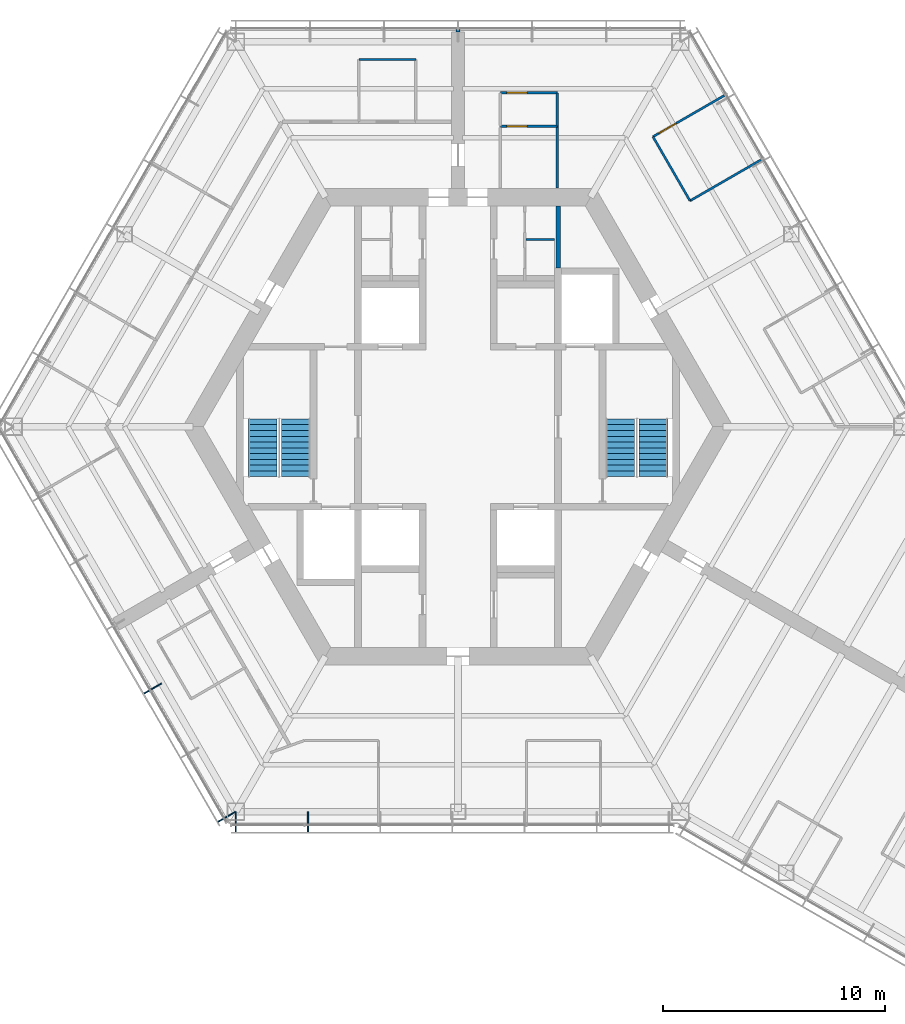
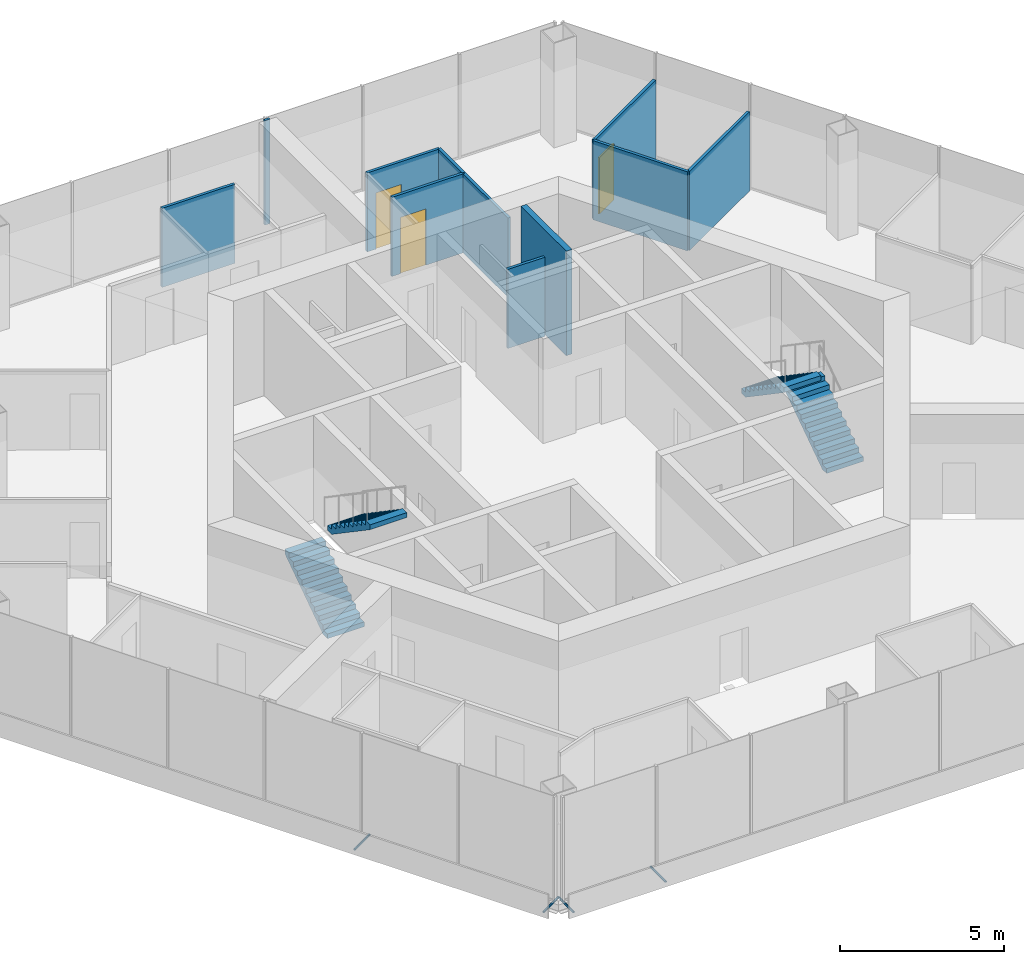
# One storey, part 13 of 16: 11 walls, 4 discrete accessories, 4 stair flights, 3 doors, 3 openings, 2 elements without a shape of their own.
"""IFC4 building model written with IfcOpenShell, lengths in metres."""

from ifc_helpers import new_model, si_unit, direction, frame, frame_2d, origin, origin_2d, place, context, subcontext, project, spatial, polyline, rectangle, hollow_circle, outline, extrude, material, layer, layer_set, material_profile, profile_set, type_object, element, fill, aggregate, save


model = new_model("IFC4")

# Units and contexts
model_context = context("Model", 3, precision=1e-05, world=origin(), true_north=direction((0.0, 1.0)))
body_context = subcontext(model_context, "Body", "Model", "MODEL_VIEW")
ifc_project = project(units=[si_unit("LENGTHUNIT", "METRE"), si_unit("AREAUNIT", "SQUARE_METRE"), si_unit("VOLUMEUNIT", "CUBIC_METRE"), si_unit("PLANEANGLEUNIT", "RADIAN"), si_unit("MASSUNIT", "GRAM", prefix="KILO")], contexts=[model_context])

# Site, building, storey
site_placement = place(None, origin())
site = spatial("IfcSite", under=ifc_project, at=site_placement, CompositionType="ELEMENT")
building_placement = place(site_placement, origin())
building = spatial("IfcBuilding", under=site, at=building_placement, Name="Kasaneha Research Tower", CompositionType="ELEMENT")
storey_placement = place(building_placement, frame((0.0, 0.0, 247.89990234375)))
storey = spatial("IfcBuildingStorey", under=building, at=storey_placement, Name="L62", CompositionType="ELEMENT", Elevation=247.89990234375)

# Wall
ifc_material_1 = material(Name="Gypsum board on steel studs, one layer each side", Category="steel")
ifc_layer_1 = layer(ifc_material_1, 0.10009765625)
ifc_layer_set_1 = layer_set([ifc_layer_1], Name="Office partition 100")
wall_type_1 = type_object("IfcWallType", Name="Office partition 100", PredefinedType="PARTITIONING", material=ifc_layer_set_1)
wall_1_placement = place(storey_placement, frame((3.050048828125, 8.425048828125, 0.0), z_axis=(0.0, 0.0, 1.0), x_axis=(1.0, 0.0, 0.0)))
element("IfcWall", 1, at=wall_1_placement, inside=storey, type_object=wall_type_1, Name="Office partition TBF2 L62", PredefinedType="PARTITIONING", context=body_context, shape_type="SweptSolid", body=[
    extrude(rectangle(XDim=1.300048828125, YDim=0.10009765625, at=frame_2d((0.64990234375, 0.0))), origin(), (0.0, 0.0, 1.0), 2.9501953125),
])

# Wall, opening, door
wall_2_placement = place(storey_placement, frame((1.89990234375, 13.52001953125, 0.0), z_axis=(0.0, 0.0, 1.0), x_axis=(1.0, 0.0, 0.0)))
wall_2 = element("IfcWall", 2, at=wall_2_placement, inside=storey, type_object=wall_type_1, Name="Office partition FAE01 L62", PredefinedType="PARTITIONING", context=body_context, shape_type="SweptSolid", body=[
    extrude(rectangle(XDim=2.565185546875, YDim=0.10009765625, at=frame_2d((1.28271484375, 0.0))), origin(), (0.0, 0.0, 1.0), 2.9501953125),
])
opening_1_placement = place(wall_2_placement, frame((0.300048828125, 0.0, 0.0)))
opening_1 = element("IfcOpeningElement", 3, at=opening_1_placement, cuts=wall_2, Name="Opening L62-D25", PredefinedType="OPENING", context=body_context, shape_type="SweptSolid", body=[
    extrude(rectangle(XDim=0.89990234375, YDim=2.10009765625, at=frame_2d((0.449951171875, 1.050048828125))), frame((0.0, 0.06005859375, 0.0), z_axis=(0.0, -1.0, 0.0), x_axis=(1.0, 0.0, 0.0)), (0.0, 0.0, 1.0), 0.1201171875),
])
ifc_material_2 = material(Name="Steel", Category="steel")
door_type_1 = type_object("IfcDoorType", Name="Toilet lobby door FD30 900x2100", OperationType="NOTDEFINED", PredefinedType="DOOR", material=ifc_material_2)
door_1_placement = place(opening_1_placement, origin())
door_1 = element("IfcDoor", 4, at=door_1_placement, inside=storey, type_object=door_type_1, Name="Women's WC door L62-D25", OperationType="SINGLE_SWING_LEFT", OverallHeight=2.10009765625, OverallWidth=0.89990234375, PredefinedType="DOOR", context=body_context, shape_type="SweptSolid", body=[
    extrude(rectangle(XDim=0.89990234375, YDim=2.10009765625, at=frame_2d((0.449951171875, 1.050048828125))), frame((0.0, 0.02490234375, 0.0), z_axis=(0.0, -1.0, 0.0), x_axis=(1.0, 0.0, 0.0)), (0.0, 0.0, 1.0), 0.050048828125),
])
fill(opening_1, door_1)

# Wall
wall_3_placement = place(storey_placement, frame((4.46044921875, 13.52490234375, 0.0), z_axis=(0.0, 0.0, 1.0), x_axis=(0.001668713644, -0.999998607696, 0.0)))
element("IfcWall", 5, at=wall_3_placement, inside=storey, type_object=wall_type_1, Name="Office partition FAE03 L62", PredefinedType="PARTITIONING", context=body_context, shape_type="SweptSolid", body=[
    extrude(rectangle(XDim=2.77978515625, YDim=0.10009765625, at=frame_2d((1.389892578125, 0.0))), origin(), (0.0, 0.0, 1.0), 2.9501953125),
])

# Wall, opening, door
wall_4_placement = place(storey_placement, frame((1.89990234375, 15.02490234375, 0.0), z_axis=(0.0, 0.0, 1.0), x_axis=(1.0, 0.0, 0.0)))
wall_4 = element("IfcWall", 6, at=wall_4_placement, inside=storey, type_object=wall_type_1, Name="Office partition FAE04 L62", PredefinedType="PARTITIONING", context=body_context, shape_type="SweptSolid", body=[
    extrude(rectangle(XDim=2.565185546875, YDim=0.10009765625, at=frame_2d((1.28271484375, 0.0))), origin(), (0.0, 0.0, 1.0), 2.9501953125),
])
opening_2_placement = place(wall_4_placement, frame((0.300048828125, 0.0, 0.0)))
opening_2 = element("IfcOpeningElement", 7, at=opening_2_placement, cuts=wall_4, Name="Opening L62-D26", PredefinedType="OPENING", context=body_context, shape_type="SweptSolid", body=[
    extrude(rectangle(XDim=0.89990234375, YDim=2.10009765625, at=frame_2d((0.449951171875, 1.050048828125))), frame((0.0, 0.06005859375, 0.0), z_axis=(0.0, -1.0, 0.0), x_axis=(1.0, 0.0, 0.0)), (0.0, 0.0, 1.0), 0.1201171875),
])
door_2_placement = place(opening_2_placement, origin())
door_2 = element("IfcDoor", 8, at=door_2_placement, inside=storey, type_object=door_type_1, Name="Toilet lobby door L62-D26", OperationType="SINGLE_SWING_LEFT", OverallHeight=2.10009765625, OverallWidth=0.89990234375, PredefinedType="DOOR", context=body_context, shape_type="SweptSolid", body=[
    extrude(rectangle(XDim=0.89990234375, YDim=2.10009765625, at=frame_2d((0.449951171875, 1.050048828125))), frame((0.0, 0.02490234375, 0.0), z_axis=(0.0, -1.0, 0.0), x_axis=(1.0, 0.0, 0.0)), (0.0, 0.0, 1.0), 0.050048828125),
])
fill(opening_2, door_2)

# Wall
wall_5_placement = place(storey_placement, frame((4.465087890625, 15.02490234375, 0.0), z_axis=(0.0, 0.0, 1.0), x_axis=(-0.00309243313, -0.999995218417, 0.0)))
element("IfcWall", 9, at=wall_5_placement, inside=storey, type_object=wall_type_1, Name="Office partition FAE06 L62", PredefinedType="PARTITIONING", context=body_context, shape_type="SweptSolid", body=[
    extrude(rectangle(XDim=1.5, YDim=0.10009765625, at=frame_2d((0.75, 0.0))), origin(), (0.0, 0.0, 1.0), 2.9501953125),
])

# Wall, opening, door
wall_6_placement = place(storey_placement, frame((8.77099609375, 13.04931640625, 0.0), z_axis=(0.0, 0.0, 1.0), x_axis=(0.866023396066, 0.500003477455, 0.0)))
wall_6 = element("IfcWall", 10, at=wall_6_placement, inside=storey, type_object=wall_type_1, Name="Office partition FAE11 L62", PredefinedType="PARTITIONING", context=body_context, shape_type="SweptSolid", body=[
    extrude(rectangle(XDim=3.7099609375, YDim=0.10009765625, at=frame_2d((1.85498046875, 0.0))), origin(), (0.0, 0.0, 1.0), 2.9501953125),
])
opening_3_placement = place(wall_6_placement, frame((0.300048828125, 0.0, 0.0)))
opening_3 = element("IfcOpeningElement", 11, at=opening_3_placement, cuts=wall_6, Name="Opening L62-D28", PredefinedType="OPENING", context=body_context, shape_type="SweptSolid", body=[
    extrude(rectangle(XDim=0.89990234375, YDim=2.10009765625, at=frame_2d((0.449951171875, 1.050048828125))), frame((0.0, 0.06005859375, 0.0), z_axis=(0.0, -1.0, 0.0), x_axis=(1.0, 0.0, 0.0)), (0.0, 0.0, 1.0), 0.1201171875),
])
ifc_material_3 = material(Name="Timber veneer", Category="wood")
door_type_2 = type_object("IfcDoorType", Name="Office door 900x2100", OperationType="SINGLE_SWING_LEFT", PredefinedType="DOOR", material=ifc_material_3)
door_3_placement = place(opening_3_placement, origin())
door_3 = element("IfcDoor", 12, at=door_3_placement, inside=storey, type_object=door_type_2, Name="Executive office door L62-D28", OperationType="SINGLE_SWING_LEFT", OverallHeight=2.10009765625, OverallWidth=0.89990234375, PredefinedType="DOOR", context=body_context, shape_type="SweptSolid", body=[
    extrude(rectangle(XDim=0.89990234375, YDim=2.10009765625, at=frame_2d((0.449951171875, 1.050048828125))), frame((0.0, 0.02490234375, 0.0), z_axis=(0.0, -1.0, 0.0), x_axis=(1.0, 0.0, 0.0)), (0.0, 0.0, 1.0), 0.050048828125),
])
fill(opening_3, door_3)

# Walls
wall_7_placement = place(storey_placement, frame((10.4365234375, 10.16455078125, 0.0), z_axis=(0.0, 0.0, 1.0), x_axis=(-0.500001606164, 0.866024476463, 0.0)))
element("IfcWall", 13, at=wall_7_placement, inside=storey, type_object=wall_type_1, Name="Office partition FAE12 L62", PredefinedType="PARTITIONING", context=body_context, shape_type="SweptSolid", body=[
    extrude(rectangle(XDim=3.3310546875, YDim=0.10009765625, at=frame_2d((1.66552734375, 0.0))), origin(), (0.0, 0.0, 1.0), 2.9501953125),
])
wall_8_placement = place(storey_placement, frame((13.623291015625, 12.00439453125, 0.0), z_axis=(0.0, 0.0, 1.0), x_axis=(-0.866029801145, -0.49999238347, 0.0)))
element("IfcWall", 14, at=wall_8_placement, inside=storey, type_object=wall_type_1, Name="Office partition FAE13 L62", PredefinedType="PARTITIONING", context=body_context, shape_type="SweptSolid", body=[
    extrude(rectangle(XDim=3.6796875, YDim=0.10009765625, at=frame_2d((1.83984375, 0.0))), origin(), (0.0, 0.0, 1.0), 2.9501953125),
])
wall_9_placement = place(storey_placement, frame((-4.465087890625, 16.52490234375, 0.0), z_axis=(0.0, 0.0, 1.0), x_axis=(1.0, 0.0, 0.0)))
element("IfcWall", 15, at=wall_9_placement, inside=storey, type_object=wall_type_1, Name="Office partition FAW04 L62", PredefinedType="PARTITIONING", context=body_context, shape_type="SweptSolid", body=[
    extrude(rectangle(XDim=2.565185546875, YDim=0.10009765625, at=frame_2d((1.28271484375, 0.0))), origin(), (0.0, 0.0, 1.0), 2.9501953125),
])
ifc_material_4 = material(Name="Concrete block", Category="concrete")
ifc_layer_2 = layer(ifc_material_4, 0.199951171875)
ifc_layer_set_2 = layer_set([ifc_layer_2], Name="Riser enclosure wall 200")
wall_type_2 = type_object("IfcWallType", Name="Riser enclosure wall 200", PredefinedType="STANDARD", material=ifc_layer_set_2)
wall_10_placement = place(storey_placement, frame((4.5, 7.14990234375, 0.0), z_axis=(0.0, 0.0, 1.0), x_axis=(0.0, 1.0, 0.0)))
element("IfcWall", 16, at=wall_10_placement, inside=storey, type_object=wall_type_2, Name="Riser enclosure wall L62", PredefinedType="STANDARD", context=body_context, shape_type="SweptSolid", body=[
    extrude(rectangle(XDim=2.775146484375, YDim=0.199951171875, at=frame_2d((1.3876953125, 0.0))), origin(), (0.0, 0.0, 1.0), 3.900146484375),
])
ifc_material_5 = material(Name="Gypsum board on steel studs, two layers each side", Category="steel")
ifc_layer_3 = layer(ifc_material_5, 0.175048828125)
ifc_layer_set_3 = layer_set([ifc_layer_3], Name="Tenancy fire partition 175")
wall_type_3 = type_object("IfcWallType", Name="Tenancy fire partition 175", PredefinedType="PARTITIONING", material=ifc_layer_set_3)
wall_11_placement = place(storey_placement, frame((0.0, 17.7705078125, 0.0), z_axis=(0.0, 0.0, 1.0), x_axis=(0.0, 1.0, 0.0)))
element("IfcWall", 17, at=wall_11_placement, inside=storey, type_object=wall_type_3, Name="Spine wall closer SW4-600 L62", PredefinedType="PARTITIONING", context=body_context, shape_type="SweptSolid", body=[
    extrude(rectangle(XDim=0.0849609375, YDim=0.175048828125, at=frame_2d((0.04248046875, 0.0))), origin(), (0.0, 0.0, 1.0), 3.900146484375),
])

# Stair, stair flights
ifc_material_6 = material(Name="Concrete Fc24", Category="concrete")
stair_type = type_object("IfcStairType", Name="Half-turn stair 22 risers", PredefinedType="HALF_TURN_STAIR", material=ifc_material_6)
stair_1_placement = place(storey_placement, origin())
stair_1 = element("IfcStair", 18, at=stair_1_placement, inside=storey, type_object=stair_type, Name="Stair 1 L62", PredefinedType="HALF_TURN_STAIR")
ifc_material_7 = material(Name="Concrete Fc24", Category="concrete")
stair_flight_type = type_object("IfcStairFlightType", Name="Stair flight 11 risers 177.3", PredefinedType="STRAIGHT", material=ifc_material_7)
stair_flight_1_placement = place(storey_placement, frame((8.800048828125, -2.25, 0.0), z_axis=(0.0, 0.0, 1.0), x_axis=(0.0, 1.0, 0.0)))
stair_flight_1 = element("IfcStairFlight", 19, at=stair_flight_1_placement, type_object=stair_flight_type, Name="ST1-22R flight 1", NumberOfRisers=11, NumberOfTreads=10, PredefinedType="STRAIGHT", RiserHeight=0.177272727, TreadLength=0.26, context=body_context, shape_type="SweptSolid", body=[
    extrude(outline(polyline([(0.0, 0.0), (0.0, 0.17724609375), (0.260009765625, 0.17724609375), (0.260009765625, 0.3544921875), (0.52001953125, 0.3544921875), (0.52001953125, 0.53173828125), (0.780029296875, 0.53173828125), (0.780029296875, 0.708984375), (1.0400390625, 0.708984375), (1.0400390625, 0.886474609375), (1.300048828125, 0.886474609375), (1.300048828125, 1.063720703125), (1.56005859375, 1.063720703125), (1.56005859375, 1.240966796875), (1.820068359375, 1.240966796875), (1.820068359375, 1.418212890625), (2.080078125, 1.418212890625), (2.080078125, 1.595458984375), (2.340087890625, 1.595458984375), (2.340087890625, 1.772705078125), (2.60009765625, 1.772705078125), (2.60009765625, 1.949951171875), (2.60009765625, 1.59130859375), (0.26611328125, 0.0), (0.0, 0.0)])), frame((0.0, 0.64990234375, 0.0), z_axis=(0.0, -1.0, 0.0), x_axis=(1.0, 0.0, 0.0)), (0.0, 0.0, 1.0), 1.300048828125),
])
stair_flight_2_placement = place(storey_placement, frame((7.300048828125, 0.35009765625, 1.9501953125), z_axis=(0.0, 0.0, 1.0), x_axis=(0.0, -1.0, 0.0)))
stair_flight_2 = element("IfcStairFlight", 20, at=stair_flight_2_placement, type_object=stair_flight_type, Name="ST1-22R flight 2", NumberOfRisers=11, NumberOfTreads=10, PredefinedType="STRAIGHT", RiserHeight=0.177272727, TreadLength=0.26, context=body_context, shape_type="SweptSolid", body=[
    extrude(outline(polyline([(0.0, 0.0), (0.0, 0.17724609375), (0.260009765625, 0.17724609375), (0.260009765625, 0.3544921875), (0.52001953125, 0.3544921875), (0.52001953125, 0.53173828125), (0.780029296875, 0.53173828125), (0.780029296875, 0.708984375), (1.0400390625, 0.708984375), (1.0400390625, 0.886474609375), (1.300048828125, 0.886474609375), (1.300048828125, 1.063720703125), (1.56005859375, 1.063720703125), (1.56005859375, 1.240966796875), (1.820068359375, 1.240966796875), (1.820068359375, 1.418212890625), (2.080078125, 1.418212890625), (2.080078125, 1.595458984375), (2.340087890625, 1.595458984375), (2.340087890625, 1.772705078125), (2.60009765625, 1.772705078125), (2.60009765625, 1.949951171875), (2.60009765625, 1.59130859375), (0.26611328125, 0.0), (0.0, 0.0)])), frame((0.0, 0.64990234375, 0.0), z_axis=(0.0, -1.0, 0.0), x_axis=(1.0, 0.0, 0.0)), (0.0, 0.0, 1.0), 1.300048828125),
])
aggregate(stair_1, [stair_flight_1, stair_flight_2])

stair_2_placement = place(storey_placement, origin())
stair_2 = element("IfcStair", 21, at=stair_2_placement, inside=storey, type_object=stair_type, Name="Stair 2 L62", PredefinedType="HALF_TURN_STAIR")
stair_flight_3_placement = place(storey_placement, frame((-8.800048828125, -2.25, 0.0), z_axis=(0.0, 0.0, 1.0), x_axis=(0.0, 1.0, 0.0)))
stair_flight_3 = element("IfcStairFlight", 22, at=stair_flight_3_placement, type_object=stair_flight_type, Name="ST2-22R flight 1", NumberOfRisers=11, NumberOfTreads=10, PredefinedType="STRAIGHT", RiserHeight=0.177272727, TreadLength=0.26, context=body_context, shape_type="SweptSolid", body=[
    extrude(outline(polyline([(0.0, 0.0), (0.0, 0.17724609375), (0.260009765625, 0.17724609375), (0.260009765625, 0.3544921875), (0.52001953125, 0.3544921875), (0.52001953125, 0.53173828125), (0.780029296875, 0.53173828125), (0.780029296875, 0.708984375), (1.0400390625, 0.708984375), (1.0400390625, 0.886474609375), (1.300048828125, 0.886474609375), (1.300048828125, 1.063720703125), (1.56005859375, 1.063720703125), (1.56005859375, 1.240966796875), (1.820068359375, 1.240966796875), (1.820068359375, 1.418212890625), (2.080078125, 1.418212890625), (2.080078125, 1.595458984375), (2.340087890625, 1.595458984375), (2.340087890625, 1.772705078125), (2.60009765625, 1.772705078125), (2.60009765625, 1.949951171875), (2.60009765625, 1.59130859375), (0.26611328125, 0.0), (0.0, 0.0)])), frame((0.0, 0.64990234375, 0.0), z_axis=(0.0, -1.0, 0.0), x_axis=(1.0, 0.0, 0.0)), (0.0, 0.0, 1.0), 1.300048828125),
])
stair_flight_4_placement = place(storey_placement, frame((-7.300048828125, 0.35009765625, 1.9501953125), z_axis=(0.0, 0.0, 1.0), x_axis=(0.0, -1.0, 0.0)))
stair_flight_4 = element("IfcStairFlight", 23, at=stair_flight_4_placement, type_object=stair_flight_type, Name="ST2-22R flight 2", NumberOfRisers=11, NumberOfTreads=10, PredefinedType="STRAIGHT", RiserHeight=0.177272727, TreadLength=0.26, context=body_context, shape_type="SweptSolid", body=[
    extrude(outline(polyline([(0.0, 0.0), (0.0, 0.17724609375), (0.260009765625, 0.17724609375), (0.260009765625, 0.3544921875), (0.52001953125, 0.3544921875), (0.52001953125, 0.53173828125), (0.780029296875, 0.53173828125), (0.780029296875, 0.708984375), (1.0400390625, 0.708984375), (1.0400390625, 0.886474609375), (1.300048828125, 0.886474609375), (1.300048828125, 1.063720703125), (1.56005859375, 1.063720703125), (1.56005859375, 1.240966796875), (1.820068359375, 1.240966796875), (1.820068359375, 1.418212890625), (2.080078125, 1.418212890625), (2.080078125, 1.595458984375), (2.340087890625, 1.595458984375), (2.340087890625, 1.772705078125), (2.60009765625, 1.772705078125), (2.60009765625, 1.949951171875), (2.60009765625, 1.59130859375), (0.26611328125, 0.0), (0.0, 0.0)])), frame((0.0, 0.64990234375, 0.0), z_axis=(0.0, -1.0, 0.0), x_axis=(1.0, 0.0, 0.0)), (0.0, 0.0, 1.0), 1.300048828125),
])
aggregate(stair_2, [stair_flight_3, stair_flight_4])

# Discrete accessories
ifc_material_8 = material(Name="Steel STK400", Category="steel")
ifc_material_profile = material_profile(ifc_material_8, hollow_circle(Radius=0.0380859375, WallThickness=0.00390625, at=origin_2d()), Name="CHS-76.3x4.0")
ifc_profile_set = profile_set([ifc_material_profile], Name="Steel STK400")
discrete_accessory_type = type_object("IfcDiscreteAccessoryType", Name="Screen bracket CHS-76.3x4.0", PredefinedType="BRACKET", material=ifc_profile_set)
discrete_accessory_1_placement = place(storey_placement, frame((-13.333984375, -11.5458984375, -0.2998046875), z_axis=(-0.866013213425, -0.500021113727, 0.0), x_axis=(0.500021113727, -0.866013213425, 0.0)))
element("IfcDiscreteAccessory", 24, at=discrete_accessory_1_placement, inside=storey, type_object=discrete_accessory_type, Name="Screen bracket 5", PredefinedType="BRACKET", context=body_context, shape_type="SweptSolid", body=[
    extrude(hollow_circle(Radius=0.0380859375, WallThickness=0.00390625, at=origin_2d()), origin(), (0.0, 0.0, 1.0), 0.919921875),
])
discrete_accessory_2_placement = place(storey_placement, frame((-10.001708984375, -17.3173828125, -0.2998046875), z_axis=(-0.866079547155, -0.499906209203, 0.0), x_axis=(0.499906209203, -0.866079547155, 0.0)))
element("IfcDiscreteAccessory", 25, at=discrete_accessory_2_placement, inside=storey, type_object=discrete_accessory_type, Name="Screen bracket 7", PredefinedType="BRACKET", context=body_context, shape_type="SweptSolid", body=[
    extrude(hollow_circle(Radius=0.0380859375, WallThickness=0.00390625, at=origin_2d()), origin(), (0.0, 0.0, 1.0), 0.920166015625),
])
for number, where, z_axis, x_axis, name in (
    (26, (-9.996337890625, -17.320556640625, -0.2998046875), (0.0, -1.0, 0.0), (1.0, 0.0, 0.0), "Screen bracket 1"),
    (27, (-6.748779296875, -17.320556640625, -0.2998046875), (0.0, -1.0, 0.0), (1.0, 0.0, 0.0), "Screen bracket 2"),
):
    element("IfcDiscreteAccessory", number, at=place(storey_placement, frame(where, z_axis=z_axis, x_axis=x_axis)), inside=storey, type_object=discrete_accessory_type, Name=name, PredefinedType="BRACKET", context=body_context, shape_type="SweptSolid", body=[
        extrude(hollow_circle(Radius=0.0380859375, WallThickness=0.00390625, at=origin_2d()), origin(), (0.0, 0.0, 1.0), 0.919921875),
    ])

save(model, "model.ifc")
